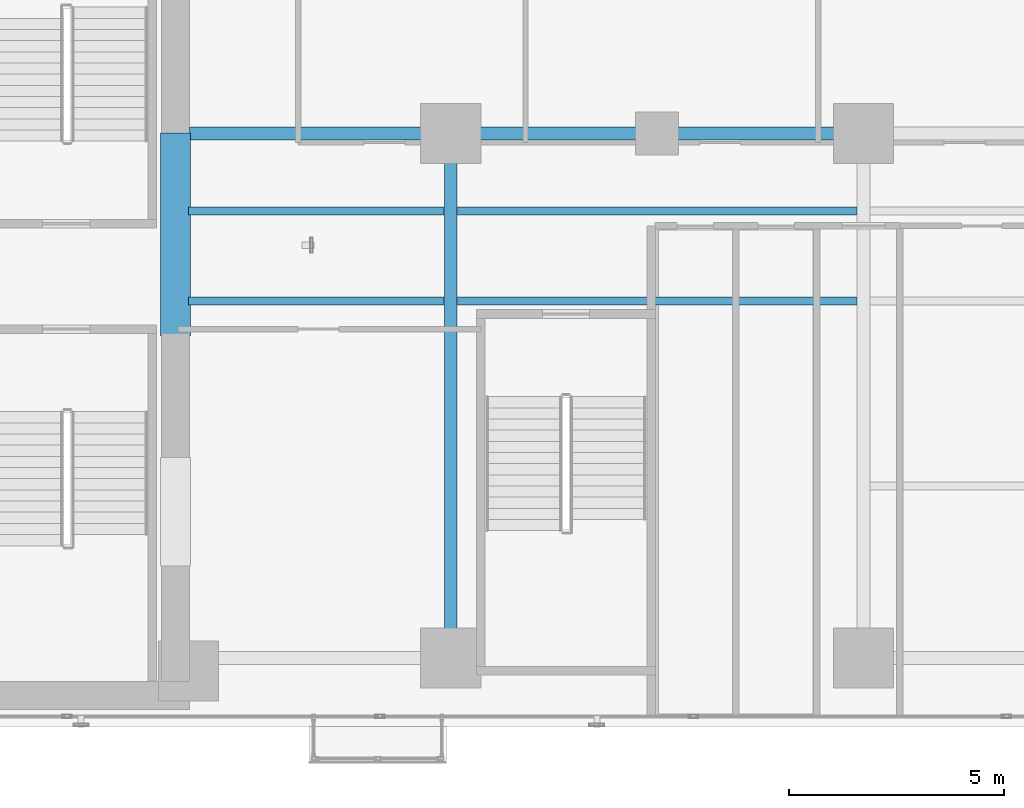
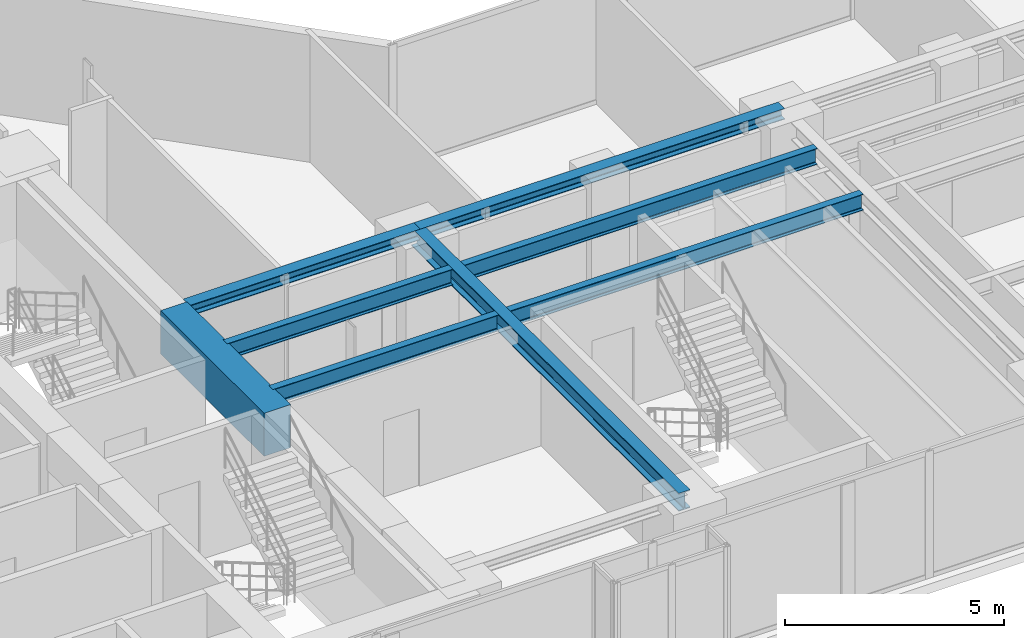
# One storey, part 5 of 26: 8 beams.
"""IFC4 building model written with IfcOpenShell, lengths in metres."""

import ifcopenshell
import ifcopenshell.guid

model = None  # the IFC model being written
_history = None  # IfcOwnerHistory: only IFC2X3 demands one
_inside = {}  # id of a spatial element -> (the spatial element, [elements in it])
_under = {}  # id of a project, library or spatial element -> (it, [spatial elements below it])
_declared = {}  # id of a project -> (the project, [libraries it declares])
_typed = {}  # id of a type object -> (the type object, [elements of that type])
_made_of = {}  # id of a material, layer set ... -> (it, [elements and type objects made of it])


def new_model(schema):
    """Start an empty IFC model of exactly this schema.

    Asked for "IFC4X3", IfcOpenShell would pick the latest addendum, in which some entities
    have other attributes; the version numbers below select the first issue.
    IFC2X3 requires an IfcOwnerHistory on every rooted entity: one is made here for all.
    """
    global model, _history
    if schema == "IFC4X3":
        model = ifcopenshell.file(schema_version=(4, 3, 0, 0))
    else:
        model = ifcopenshell.file(schema=schema)
    _inside.clear()
    _under.clear()
    _declared.clear()
    _typed.clear()
    _made_of.clear()
    _history = None
    if model.schema == "IFC2X3":
        org = make("IfcOrganization", Name="unknown")
        user = make(
            "IfcPersonAndOrganization",
            ThePerson=make("IfcPerson", FamilyName="unknown"),
            TheOrganization=org,
        )
        app = make(
            "IfcApplication",
            ApplicationDeveloper=org,
            Version="unknown",
            ApplicationFullName="unknown",
            ApplicationIdentifier="unknown",
        )
        _history = make(
            "IfcOwnerHistory",
            OwningUser=user,
            OwningApplication=app,
            ChangeAction="ADDED",
            CreationDate=0,
        )
    return model


def make(cls, **values):
    """One entity of the class cls with the attributes given. An attribute that is None is left unset."""
    return model.create_entity(
        cls, **{name: value for name, value in values.items() if value is not None}
    )


def rooted(cls, **values):
    """An entity with a GlobalId (a new one), such as an element, a storey or a relation."""
    return make(cls, GlobalId=ifcopenshell.guid.new(), OwnerHistory=_history, **values)


def si_unit(unit_type, name, prefix=None):
    """IfcSIUnit, for example si_unit("LENGTHUNIT", "METRE", prefix="MILLI")."""
    return make("IfcSIUnit", UnitType=unit_type, Prefix=prefix, Name=name)


def assignment(units):
    """IfcUnitAssignment: the units of a project."""
    return None if units is None else make("IfcUnitAssignment", Units=units)


def point(xyz):
    """IfcCartesianPoint."""
    return None if xyz is None else make("IfcCartesianPoint", Coordinates=xyz)


def direction(xyz):
    """IfcDirection."""
    return None if xyz is None else make("IfcDirection", DirectionRatios=xyz)


def frame(location, z_axis=None, x_axis=None):
    """IfcAxis2Placement3D, a coordinate frame: its origin and axes. An axis left out is left unset."""
    return make(
        "IfcAxis2Placement3D",
        Location=point(location),
        Axis=direction(z_axis),
        RefDirection=direction(x_axis),
    )


def frame_2d(location, x_axis=None):
    """IfcAxis2Placement2D, a coordinate frame in the plane: its origin and x axis."""
    return make(
        "IfcAxis2Placement2D", Location=point(location), RefDirection=direction(x_axis)
    )


def origin():
    """The frame at (0, 0, 0) with its axes left unset."""
    return frame((0.0, 0.0, 0.0))


def origin_2d():
    """The frame at (0, 0) in the plane with its x axis left unset."""
    return frame_2d((0.0, 0.0))


def place(relative_to, where):
    """IfcLocalPlacement: puts the frame where relative to a parent placement (None: the world)."""
    return make(
        "IfcLocalPlacement", PlacementRelTo=relative_to, RelativePlacement=where
    )


def context(
    kind, dimensions, precision=None, world=None, true_north=None, identifier=None
):
    """IfcGeometricRepresentationContext, for example the 3D "Model" context."""
    return make(
        "IfcGeometricRepresentationContext",
        ContextIdentifier=identifier,
        ContextType=kind,
        CoordinateSpaceDimension=dimensions,
        Precision=precision,
        WorldCoordinateSystem=world,
        TrueNorth=true_north,
    )


def subcontext(parent, identifier, kind, view, scale=None):
    """IfcGeometricRepresentationSubContext, for example "Body" below "Model"."""
    return make(
        "IfcGeometricRepresentationSubContext",
        ContextIdentifier=identifier,
        ContextType=kind,
        ParentContext=parent,
        TargetScale=scale,
        TargetView=view,
    )


def project(units=None, contexts=None):
    """IfcProject with its units and contexts."""
    return rooted(
        "IfcProject",
        Name="project",
        RepresentationContexts=contexts,
        UnitsInContext=assignment(units),
    )


def spatial(cls, under=None, at=None, **own):
    """A site, building, storey or space (cls), placed at a placement, below another one or the project."""
    s = rooted(cls, ObjectPlacement=at, **own)
    if under is not None:
        _under.setdefault(under.id(), (under, []))[1].append(s)
    return s


def profile(cls, at=None, kind="AREA", **sizes):
    """A parametric profile (cls). Its sizes go by their IFC names, for example OverallWidth=200.0."""
    return make(cls, ProfileType=kind, Position=at, **sizes)


def rectangle(**sizes):
    """IfcRectangleProfileDef."""
    return profile("IfcRectangleProfileDef", **sizes)


def i_section(**sizes):
    """IfcIShapeProfileDef."""
    return profile("IfcIShapeProfileDef", **sizes)


def extrude(swept, where, along, depth):
    """IfcExtrudedAreaSolid: the profile swept, set in the frame where, extruded along a direction by depth."""
    return make(
        "IfcExtrudedAreaSolid",
        SweptArea=swept,
        Position=where,
        ExtrudedDirection=direction(along),
        Depth=depth,
    )


def shape(context_of_items, identifier, shape_type, items):
    """IfcShapeRepresentation: the items that make up one representation, for example the "Body"."""
    return make(
        "IfcShapeRepresentation",
        ContextOfItems=context_of_items,
        RepresentationIdentifier=identifier,
        RepresentationType=shape_type,
        Items=items,
    )


def material(Name=None, Category=None):
    """IfcMaterial."""
    return make("IfcMaterial", Name=Name, Category=Category)


def material_profile(
    of_material, cross_section, Name=None, Category=None, Priority=None
):
    """IfcMaterialProfile: a cross section and its material."""
    return make(
        "IfcMaterialProfile",
        Name=Name,
        Material=of_material,
        Profile=cross_section,
        Priority=Priority,
        Category=Category,
    )


def profile_set(profiles, Name=None, composite=None):
    """IfcMaterialProfileSet."""
    return make(
        "IfcMaterialProfileSet",
        Name=Name,
        MaterialProfiles=profiles,
        CompositeProfile=composite,
    )


def made_of(thing, what):
    """Note that an element or type object is made of a material, layer set ...; save() writes the relation."""
    if what is not None:
        _made_of.setdefault(what.id(), (what, []))[1].append(thing)
    return thing


def type_object(cls, material=None, **own):
    """A type object (cls), such as IfcWallType, which elements share."""
    return made_of(rooted(cls, **own), material)


def element(
    cls,
    number,
    at=None,
    inside=None,
    cuts=None,
    type_object=None,
    material=None,
    context=None,
    identifier="Body",
    shape_type=None,
    held_by="IfcProductDefinitionShape",
    body=None,
    shapes=None,
    **own,
):
    """One element of the class cls, such as IfcWall. Its Tag is "e" and its number.

    at: its placement. inside: the storey or other place that contains it. cuts: it is an
    opening in that element (IfcRelVoidsElement). A single representation is given by context,
    identifier, shape_type and body (its items); several are given by shapes. held_by: the class
    of the entity that holds the representations. save() writes the other relations.
    """
    e = rooted(cls, Tag="e%d" % number, ObjectPlacement=at, **own)
    if body is not None:
        shapes = [shape(context, identifier, shape_type, body)]
    if shapes is not None:
        e.Representation = make(held_by, Representations=shapes)
    if inside is not None:
        _inside.setdefault(inside.id(), (inside, []))[1].append(e)
    if cuts is not None:
        rooted(
            "IfcRelVoidsElement", RelatingBuildingElement=cuts, RelatedOpeningElement=e
        )
    if type_object is not None:
        _typed.setdefault(type_object.id(), (type_object, []))[1].append(e)
    return made_of(e, material)


def aggregate(whole, parts):
    """IfcRelAggregates: a whole, such as a stair, and the parts it consists of."""
    return rooted("IfcRelAggregates", RelatingObject=whole, RelatedObjects=parts)


def save(model, path):
    """Write the relations noted so far, then the file.

    IfcRelAggregates (storeys below a building ...), IfcRelContainedInSpatialStructure (elements
    in a storey), IfcRelDefinesByType, IfcRelAssociatesMaterial and IfcRelDeclares: one each for
    every whole, place, type object, material and project.
    """
    for whole, parts in _under.values():
        aggregate(whole, parts)
    for where, things in _inside.values():
        rooted(
            "IfcRelContainedInSpatialStructure",
            RelatedElements=things,
            RelatingStructure=where,
        )
    for kind, things in _typed.values():
        rooted("IfcRelDefinesByType", RelatedObjects=things, RelatingType=kind)
    for what, things in _made_of.values():
        rooted("IfcRelAssociatesMaterial", RelatedObjects=things, RelatingMaterial=what)
    for by, libraries in _declared.values():
        rooted("IfcRelDeclares", RelatingContext=by, RelatedDefinitions=libraries)
    model.write(path)


model = new_model("IFC4")

# Units and contexts
model_context = context("Model", 3, precision=1e-05, world=origin(), true_north=direction((0.0, 1.0)))
body_context = subcontext(model_context, "Body", "Model", "MODEL_VIEW")
ifc_project = project(units=[si_unit("LENGTHUNIT", "METRE"), si_unit("AREAUNIT", "SQUARE_METRE"), si_unit("VOLUMEUNIT", "CUBIC_METRE"), si_unit("PLANEANGLEUNIT", "RADIAN"), si_unit("MASSUNIT", "GRAM", prefix="KILO")], contexts=[model_context])

# Site, building, storey
site_placement = place(None, origin())
site = spatial("IfcSite", under=ifc_project, at=site_placement, CompositionType="ELEMENT")
building_placement = place(site_placement, origin())
building = spatial("IfcBuilding", under=site, at=building_placement, Name="Kolvaren Waterfront Exchange", CompositionType="ELEMENT")
storey_placement = place(building_placement, frame((0.0, 0.0, 122.10009765625)))
storey = spatial("IfcBuildingStorey", under=building, at=storey_placement, Name="L31", CompositionType="ELEMENT", Elevation=122.10009765625)

# Beams
ifc_material_1 = material(Name="Steel S355", Category="steel")
ifc_material_profile_1 = material_profile(ifc_material_1, i_section(OverallWidth=0.300048828125, OverallDepth=0.300048828125, WebThickness=0.010986328125, FlangeThickness=0.01904296875, FilletRadius=0.027099609375, at=origin_2d()), Name="HEB300")
ifc_profile_set_1 = profile_set([ifc_material_profile_1], Name="Steel S355")
beam_type_1 = type_object("IfcBeamType", Name="STR-BM-HEB300", PredefinedType="SPANDREL", material=ifc_profile_set_1)
beam_1_placement = place(storey_placement, frame((21.125, 17.39990234375, 3.389892578125), z_axis=(1.0, 0.0, 0.0), x_axis=(0.0, 1.0, 0.0)))
element("IfcBeam", 1, at=beam_1_placement, inside=storey, type_object=beam_type_1, Name="L31 east-arm spandrel N1", PredefinedType="SPANDREL", context=body_context, shape_type="SweptSolid", body=[
    extrude(i_section(OverallWidth=0.300048828125, OverallDepth=0.300048828125, WebThickness=0.010986328125, FlangeThickness=0.01904296875, FilletRadius=0.027099609375, at=origin_2d()), origin(), (0.0, 0.0, 1.0), 6.074951171875),
])
beam_2_placement = place(storey_placement, frame((27.199951171875, 17.39990234375, 3.389892578125), z_axis=(1.0, 0.0, 0.0), x_axis=(0.0, 1.0, 0.0)))
element("IfcBeam", 2, at=beam_2_placement, inside=storey, type_object=beam_type_1, Name="L31 east-arm spandrel N2", PredefinedType="SPANDREL", context=body_context, shape_type="SweptSolid", body=[
    extrude(i_section(OverallWidth=0.300048828125, OverallDepth=0.300048828125, WebThickness=0.010986328125, FlangeThickness=0.01904296875, FilletRadius=0.027099609375, at=origin_2d()), origin(), (0.0, 0.0, 1.0), 9.60009765625),
])
ifc_material_profile_2 = material_profile(ifc_material_1, i_section(OverallWidth=0.300048828125, OverallDepth=0.5, WebThickness=0.014404296875, FlangeThickness=0.028076171875, FilletRadius=0.027099609375, at=origin_2d()), Name="HEB500")
ifc_profile_set_2 = profile_set([ifc_material_profile_2], Name="Steel S355")
beam_type_2 = type_object("IfcBeamType", Name="STR-BM-HEB500", PredefinedType="BEAM", material=ifc_profile_set_2)
beam_3_placement = place(storey_placement, frame((27.199951171875, 5.199951171875, 3.289794921875), z_axis=(0.0, 1.0, 0.0), x_axis=(-1.0, 0.0, 0.0)))
element("IfcBeam", 3, at=beam_3_placement, inside=storey, type_object=beam_type_2, Name="L31 east-arm transverse girder X27", PredefinedType="BEAM", context=body_context, shape_type="SweptSolid", body=[
    extrude(i_section(OverallWidth=0.300048828125, OverallDepth=0.5, WebThickness=0.014404296875, FlangeThickness=0.028076171875, FilletRadius=0.027099609375, at=origin_2d()), origin(), (0.0, 0.0, 1.0), 12.199951171875),
])
ifc_material_profile_3 = material_profile(ifc_material_1, i_section(OverallWidth=0.18994140625, OverallDepth=0.449951171875, WebThickness=0.009521484375, FlangeThickness=0.0146484375, FilletRadius=0.02099609375, at=origin_2d()), Name="IPE450")
ifc_profile_set_3 = profile_set([ifc_material_profile_3], Name="Steel S355")
beam_type_3 = type_object("IfcBeamType", Name="STR-BM-IPE450", PredefinedType="JOIST", material=ifc_profile_set_3)
for number, where, z_axis, x_axis, name in (
    (4, (21.10009765625, 13.5, 3.31494140625), (1.0, 0.0, 0.0), (0.0, 1.0, 0.0), "L31 east-arm composite joist 1A"),
    (5, (21.10009765625, 15.60009765625, 3.31494140625), (1.0, 0.0, 0.0), (0.0, 1.0, 0.0), "L31 east-arm composite joist 1C"),
):
    element("IfcBeam", number, at=place(storey_placement, frame(where, z_axis=z_axis, x_axis=x_axis)), inside=storey, type_object=beam_type_3, Name=name, PredefinedType="JOIST", context=body_context, shape_type="SweptSolid", body=[
        extrude(i_section(OverallWidth=0.18994140625, OverallDepth=0.449951171875, WebThickness=0.009521484375, FlangeThickness=0.0146484375, FilletRadius=0.02099609375, at=origin_2d()), origin(), (0.0, 0.0, 1.0), 5.947998046875),
    ])
for number, where, z_axis, x_axis, name in (
    (6, (27.35205078125, 13.5, 3.31494140625), (1.0, 0.0, 0.0), (0.0, 1.0, 0.0), "L31 east-arm composite joist 2A"),
    (7, (27.35205078125, 15.60009765625, 3.31494140625), (1.0, 0.0, 0.0), (0.0, 1.0, 0.0), "L31 east-arm composite joist 2C"),
):
    element("IfcBeam", number, at=place(storey_placement, frame(where, z_axis=z_axis, x_axis=x_axis)), inside=storey, type_object=beam_type_3, Name=name, PredefinedType="JOIST", context=body_context, shape_type="SweptSolid", body=[
        extrude(i_section(OverallWidth=0.18994140625, OverallDepth=0.449951171875, WebThickness=0.009521484375, FlangeThickness=0.0146484375, FilletRadius=0.02099609375, at=origin_2d()), origin(), (0.0, 0.0, 1.0), 9.2958984375),
    ])
ifc_material_2 = material(Name="Concrete C70/85", Category="concrete")
ifc_material_profile_4 = material_profile(ifc_material_2, rectangle(XDim=0.699951171875, YDim=1.199951171875, at=origin_2d()), Name="RC-CB-1200x700")
ifc_profile_set_4 = profile_set([ifc_material_profile_4], Name="Concrete C70/85")
beam_type_4 = type_object("IfcBeamType", Name="STR-CB-1200", PredefinedType="SPANDREL", material=ifc_profile_set_4)
beam_4_placement = place(storey_placement, frame((20.800048828125, 12.68994140625, 2.93994140625), z_axis=(0.0, 1.0, 0.0), x_axis=(-1.0, 0.0, 0.0)))
element("IfcBeam", 8, at=beam_4_placement, inside=storey, type_object=beam_type_4, Name="L31 core coupling beam 2", PredefinedType="SPANDREL", context=body_context, shape_type="SweptSolid", body=[
    extrude(rectangle(XDim=0.699951171875, YDim=1.199951171875, at=origin_2d()), origin(), (0.0, 0.0, 1.0), 4.719970703125),
])

save(model, "model.ifc")
